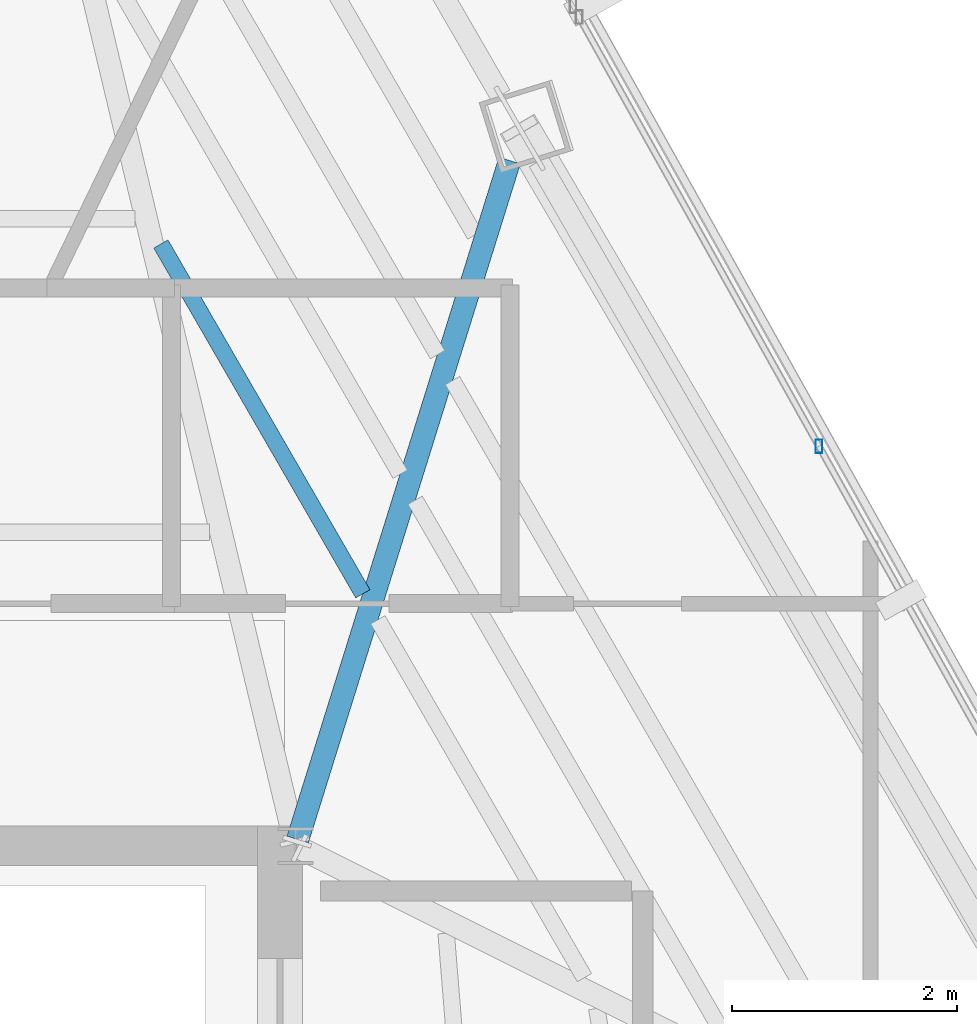
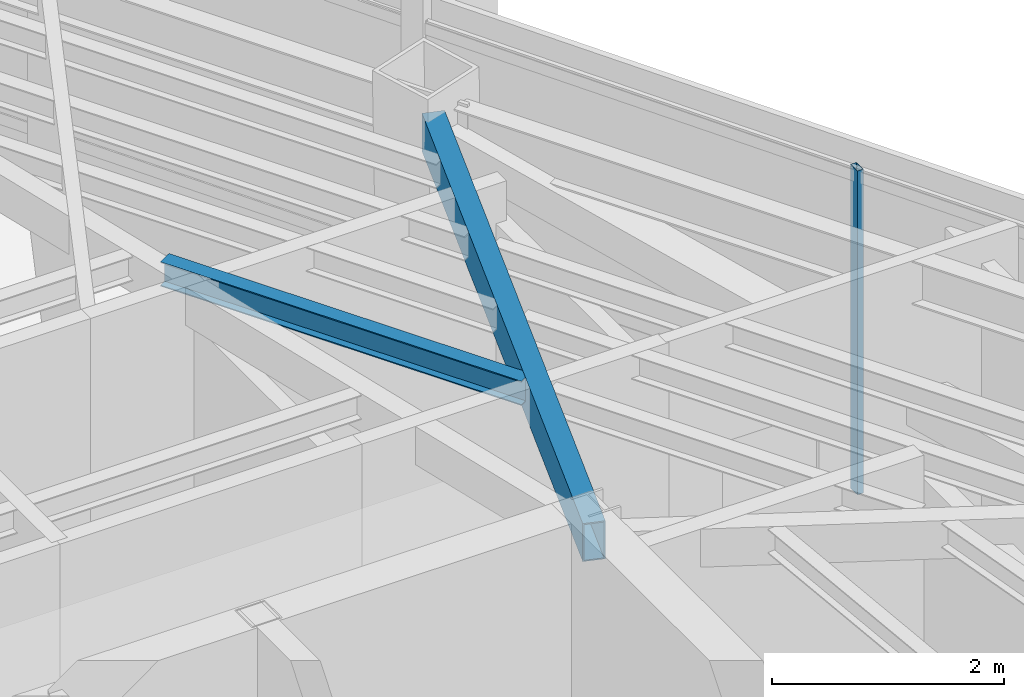
# One storey, part 29 of 45: 2 beams, 1 member, 1 element without a shape of its own.
"""IFC4 building model written with IfcOpenShell, lengths in metres."""

from ifc_helpers import new_model, si_unit, direction, frame, origin, origin_2d, place, context, subcontext, project, spatial, hollow_rectangle, i_section, extrude, source, transform, mapped, material, material_profile, profile_set, type_object, type_shapes, element, aggregate, save


model = new_model("IFC4")

# Units and contexts
model_context = context("Model", 3, precision=1e-05, world=origin(), true_north=direction((0.0, 1.0)))
body_context = subcontext(model_context, "Body", "Model", "MODEL_VIEW")
ifc_project = project(units=[si_unit("LENGTHUNIT", "METRE"), si_unit("AREAUNIT", "SQUARE_METRE"), si_unit("VOLUMEUNIT", "CUBIC_METRE"), si_unit("PLANEANGLEUNIT", "RADIAN"), si_unit("MASSUNIT", "GRAM", prefix="KILO")], contexts=[model_context])

# Site, building, storey
site_placement = place(None, origin())
site = spatial("IfcSite", under=ifc_project, at=site_placement, CompositionType="ELEMENT")
building_placement = place(site_placement, origin())
building = spatial("IfcBuilding", under=site, at=building_placement, Name="Caelisora Broadcast Tower", CompositionType="ELEMENT")
storey_placement = place(building_placement, frame((0.0, 0.0, 266.35009765625)))
storey = spatial("IfcBuildingStorey", under=building, at=storey_placement, Name="L70", CompositionType="ELEMENT", Elevation=266.35009765625)

# Beams
ifc_material_1 = material(Name="Steel Grade 350 (AS/NZS 1163 C350L0)", Category="steel")
ifc_material_profile_1 = material_profile(ifc_material_1, hollow_rectangle(XDim=0.199951171875, YDim=0.39990234375, WallThickness=0.012451171875, at=origin_2d()), Name="Steel Grade 350 (AS/NZS 1163 C350L0)")
ifc_profile_set_1 = profile_set([ifc_material_profile_1], Name="Steel Grade 350 (AS/NZS 1163 C350L0)")
beam_type_1 = type_object("IfcBeamType", Name="PG07", PredefinedType="BEAM", material=ifc_profile_set_1)
shared_shape_1 = source(origin(), body_context, "Body", "SweptSolid", [
    extrude(hollow_rectangle(XDim=0.199951171875, YDim=0.39990234375, WallThickness=0.012451171875, at=origin_2d()), origin(), (0.0, 0.0, 1.0), 6.310546875),
])
type_shapes(beam_type_1, [shared_shape_1])
beam_1_placement = place(storey_placement, frame((45.517822265625, 30.057373046875, 3.199951171875), z_axis=(0.297935732111, 0.954585930931, 0.0), x_axis=(-0.954585930931, 0.297935732111, 0.0)))
element("IfcBeam", 1, at=beam_1_placement, inside=storey, type_object=beam_type_1, Name="L70 beam PG07", PredefinedType="BEAM", context=body_context, shape_type="MappedRepresentation", body=[
    mapped(shared_shape_1, transform((0.0, 0.0, 0.0), scale=1.0)),
])
ifc_material_2 = material(Name="Steel Grade 350 (AS/NZS 3679.1)", Category="steel")
ifc_material_profile_2 = material_profile(ifc_material_2, i_section(OverallWidth=0.14599609375, OverallDepth=0.256103515625, WebThickness=0.00634765625, FlangeThickness=0.010986328125, at=origin_2d()), Name="Steel Grade 350 (AS/NZS 3679.1)")
ifc_profile_set_2 = profile_set([ifc_material_profile_2], Name="Steel Grade 350 (AS/NZS 3679.1)")
beam_type_2 = type_object("IfcBeamType", Name="SB04", PredefinedType="JOIST", material=ifc_profile_set_2)
shared_shape_2 = source(origin(), body_context, "Body", "SweptSolid", [
    extrude(i_section(OverallWidth=0.14599609375, OverallDepth=0.256103515625, WebThickness=0.00634765625, FlangeThickness=0.010986328125, at=origin_2d()), origin(), (0.0, 0.0, 1.0), 3.583984375),
])
type_shapes(beam_type_2, [shared_shape_2])
beam_2_placement = place(storey_placement, frame((46.095703125, 32.237060546875, 3.271728515625), z_axis=(-0.500007460641, 0.866021096339, 0.0), x_axis=(-0.866021096339, -0.500007460641, 0.0)))
element("IfcBeam", 2, at=beam_2_placement, inside=storey, type_object=beam_type_2, Name="L70 beam SB04", PredefinedType="JOIST", context=body_context, shape_type="MappedRepresentation", body=[
    mapped(shared_shape_2, transform((0.0, 0.0, 0.0), scale=1.0)),
])

# Curtain wall, member
ifc_material_3 = material(Name="Unitised Aluminium Insulated Shadow-Box Spandrel Curtain Wall", Category="aluminium")
curtain_wall_type = type_object("IfcCurtainWallType", Name="CW-SP3", PredefinedType="NOTDEFINED", material=ifc_material_3)
curtain_wall_placement = place(storey_placement, origin())
curtain_wall = element("IfcCurtainWall", 3, at=curtain_wall_placement, inside=storey, type_object=curtain_wall_type, Name="L70 curtain wall CW-SP3", PredefinedType="NOTDEFINED")
ifc_material_4 = material(Name="Aluminium 6063-T6 Anodised Terracotta Bronze", Category="aluminium")
ifc_material_profile_3 = material_profile(ifc_material_4, hollow_rectangle(XDim=0.06005859375, YDim=0.1201171875, WallThickness=0.0029296875, at=origin_2d()), Name="Aluminium 6063-T6 Anodised Terracotta Bronze")
ifc_profile_set_3 = profile_set([ifc_material_profile_3], Name="Aluminium 6063-T6 Anodised Terracotta Bronze")
member_type = type_object("IfcMemberType", Name="CWM-04", PredefinedType="MULLION", material=ifc_profile_set_3)
shared_shape_3 = source(origin(), body_context, "Body", "SweptSolid", [
    extrude(hollow_rectangle(XDim=0.06005859375, YDim=0.1201171875, WallThickness=0.0029296875, at=origin_2d()), origin(), (0.0, 0.0, 1.0), 3.39990234375),
])
type_shapes(member_type, [shared_shape_3])
member_placement = place(storey_placement, frame((50.142578125, 33.545166015625, 0.0), z_axis=(0.0, 0.0, 1.0), x_axis=(1.0, 0.0, 0.0)))
member = element("IfcMember", 4, at=member_placement, type_object=member_type, Name="L70-CW-B02 mullion #1", PredefinedType="MULLION", context=body_context, shape_type="MappedRepresentation", body=[
    mapped(shared_shape_3, transform((0.0, 0.0, 0.0), scale=1.0)),
])
aggregate(curtain_wall, [member])

save(model, "model.ifc")
